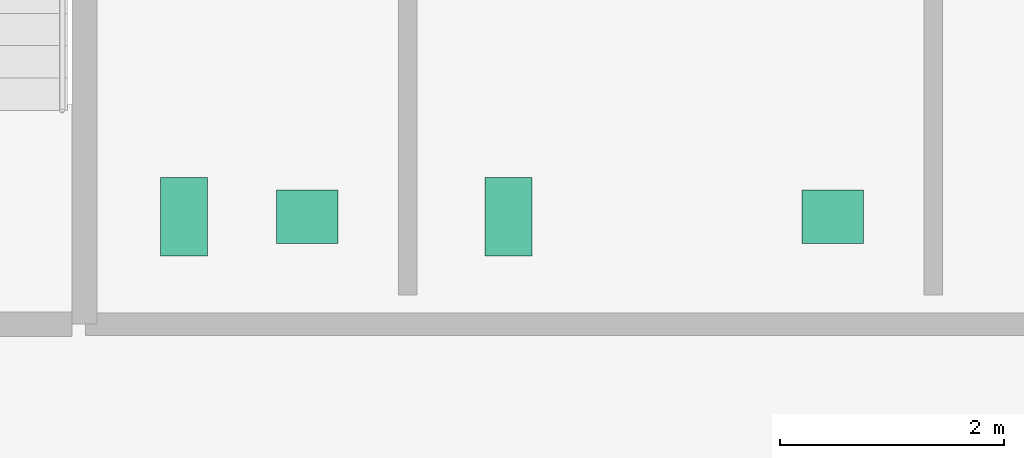
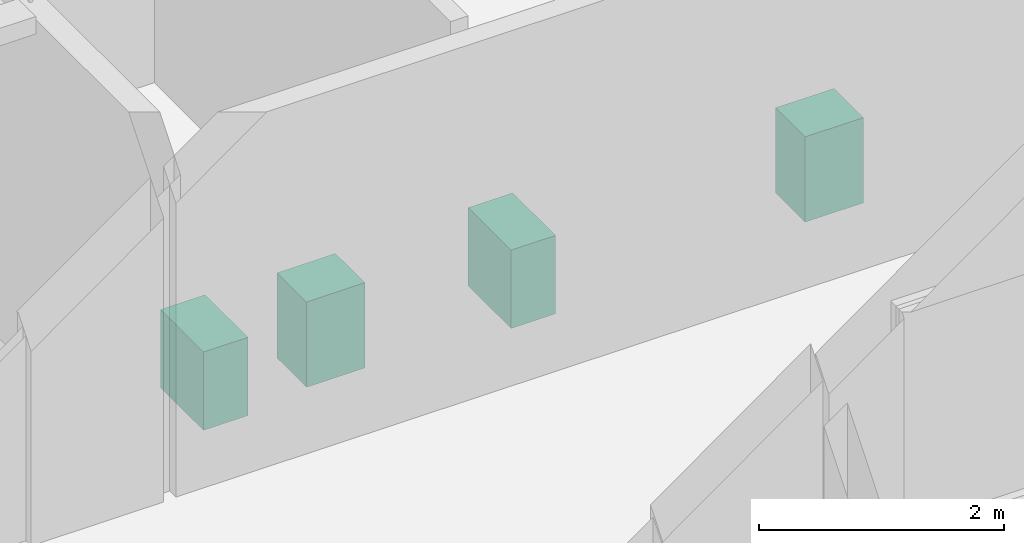
# One storey, part 12 of 12: 4 sanitary terminals.
"""IFC4 building model written with IfcOpenShell, lengths in metres."""

from ifc_helpers import new_model, si_unit, direction, frame, origin, origin_2d, place, context, subcontext, project, spatial, rectangle, extrude, material, type_object, element, save


model = new_model("IFC4")

# Units and contexts
model_context = context("Model", 3, precision=1e-05, world=origin(), true_north=direction((0.0, 1.0)))
body_context = subcontext(model_context, "Body", "Model", "MODEL_VIEW")
ifc_project = project(units=[si_unit("LENGTHUNIT", "METRE"), si_unit("AREAUNIT", "SQUARE_METRE"), si_unit("VOLUMEUNIT", "CUBIC_METRE"), si_unit("PLANEANGLEUNIT", "RADIAN"), si_unit("MASSUNIT", "GRAM", prefix="KILO")], contexts=[model_context])

# Site, building, storey
site_placement = place(None, origin())
site = spatial("IfcSite", under=ifc_project, at=site_placement, CompositionType="ELEMENT")
building_placement = place(site_placement, origin())
building = spatial("IfcBuilding", under=site, at=building_placement, Name="Norrvale University Quadrangle", CompositionType="ELEMENT")
storey_placement = place(building_placement, frame((0.0, 0.0, 101.39990234375)))
storey = spatial("IfcBuildingStorey", under=building, at=storey_placement, Name="L25", CompositionType="ELEMENT", Elevation=101.39990234375)

# Sanitary terminals
ifc_material = material(Name="Vitreous China Sanitaryware")
sanitary_terminal_type_1 = type_object("IfcSanitaryTerminalType", Name="Sanitary Wash Basin", PredefinedType="WASHHANDBASIN", material=ifc_material)
for number, where, z_axis, x_axis, name in (
    (1, (8.300048828125, 41.10009765625, 0.0), (0.0, 0.0, 1.0), (1.0, 0.0, 0.0), "Accessible Countertop Washbasin L25-1"),
    (2, (13.0, 41.10009765625, 0.0), (0.0, 0.0, 1.0), (1.0, 0.0, 0.0), "Accessible Countertop Washbasin L25-2"),
):
    element("IfcSanitaryTerminal", number, at=place(storey_placement, frame(where, z_axis=z_axis, x_axis=x_axis)), inside=storey, type_object=sanitary_terminal_type_1, Name=name, PredefinedType="WASHHANDBASIN", context=body_context, shape_type="SweptSolid", body=[
        extrude(rectangle(XDim=0.550048828125, YDim=0.47998046875, at=origin_2d()), origin(), (0.0, 0.0, 1.0), 0.85009765625),
    ])
sanitary_terminal_type_2 = type_object("IfcSanitaryTerminalType", Name="Sanitary Water Closet", PredefinedType="TOILETPAN", material=ifc_material)
for number, where, z_axis, x_axis, name in (
    (3, (7.199951171875, 41.10009765625, 0.0), (0.0, 0.0, 1.0), (1.0, 0.0, 0.0), "Wall-Hung Water Closet L25-1"),
    (4, (10.10009765625, 41.10009765625, 0.0), (0.0, 0.0, 1.0), (1.0, 0.0, 0.0), "Wall-Hung Water Closet L25-2"),
):
    element("IfcSanitaryTerminal", number, at=place(storey_placement, frame(where, z_axis=z_axis, x_axis=x_axis)), inside=storey, type_object=sanitary_terminal_type_2, Name=name, PredefinedType="TOILETPAN", context=body_context, shape_type="SweptSolid", body=[
        extrude(rectangle(XDim=0.419921875, YDim=0.699951171875, at=origin_2d()), origin(), (0.0, 0.0, 1.0), 0.780029296875),
    ])

save(model, "model.ifc")
